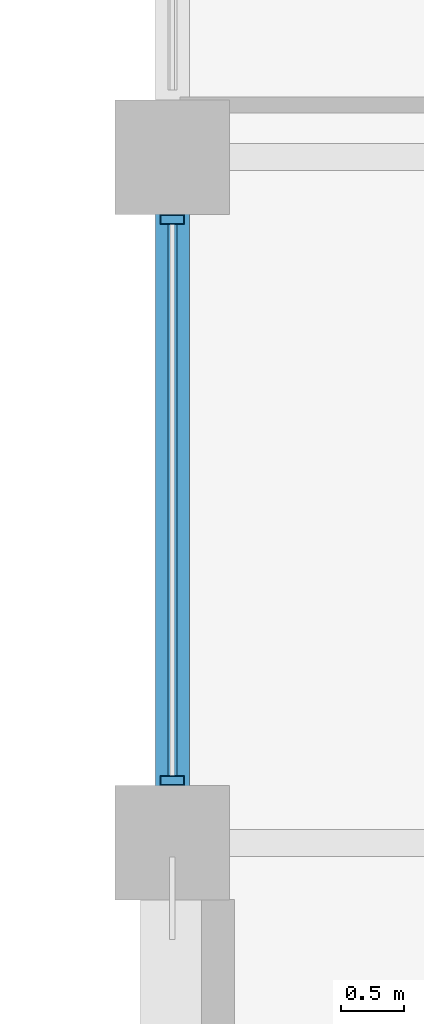
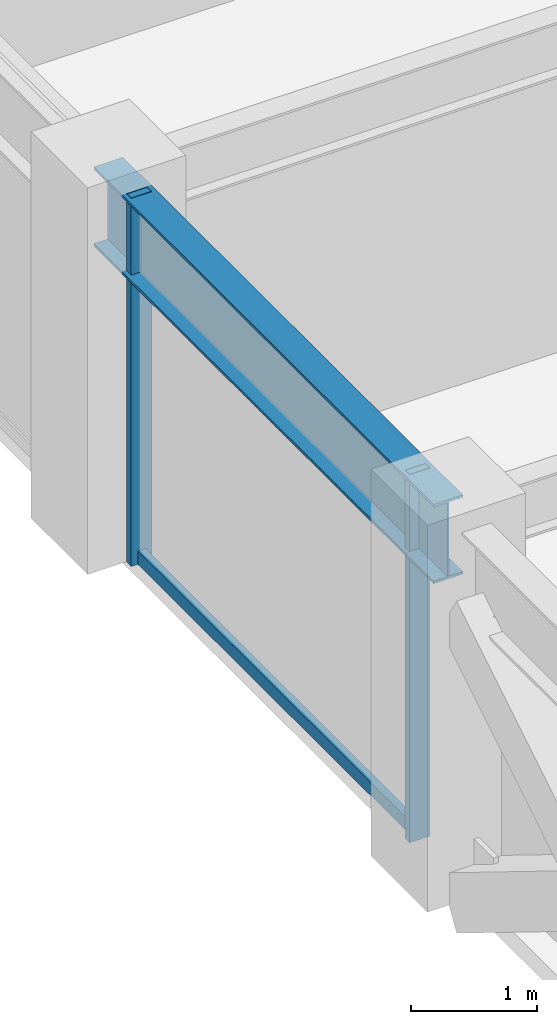
# One storey, part 4 of 31: 3 members, 1 beam, 1 element without a shape of its own.
"""IFC4 building model written with IfcOpenShell, lengths in metres."""

from ifc_helpers import new_model, si_unit, direction, frame, origin, origin_2d, place, context, subcontext, project, spatial, hollow_rectangle, i_section, extrude, material, layer, layer_set, material_profile, profile_set, type_object, element, aggregate, save


model = new_model("IFC4")

# Units and contexts
model_context = context("Model", 3, precision=1e-05, world=origin(), true_north=direction((0.0, 1.0)))
body_context = subcontext(model_context, "Body", "Model", "MODEL_VIEW")
ifc_project = project(units=[si_unit("LENGTHUNIT", "METRE"), si_unit("AREAUNIT", "SQUARE_METRE"), si_unit("VOLUMEUNIT", "CUBIC_METRE"), si_unit("PLANEANGLEUNIT", "RADIAN"), si_unit("MASSUNIT", "GRAM", prefix="KILO")], contexts=[model_context])

# Site, building, storey
site_placement = place(None, origin())
site = spatial("IfcSite", under=ifc_project, at=site_placement, CompositionType="ELEMENT")
building_placement = place(site_placement, origin())
building = spatial("IfcBuilding", under=site, at=building_placement, Name="Surkhivell Harbour Commons", CompositionType="ELEMENT")
storey_placement = place(building_placement, frame((0.0, 0.0, 193.5)))
storey = spatial("IfcBuildingStorey", under=building, at=storey_placement, Name="L50", CompositionType="ELEMENT", Elevation=193.5)

# Beam
ifc_material_1 = material(Name="Steel S355", Category="steel")
ifc_material_profile_1 = material_profile(ifc_material_1, i_section(OverallWidth=0.26806640625, OverallDepth=0.77001953125, WebThickness=0.015625, FlangeThickness=0.025390625, at=origin_2d()), Name="UB762x267x197")
ifc_profile_set_1 = profile_set([ifc_material_profile_1], Name="Steel S355")
beam_type = type_object("IfcBeamType", Name="BM-SPN-762", PredefinedType="SPANDREL", material=ifc_profile_set_1)
beam_placement = place(storey_placement, frame((-27.0, -10.800048828125, 3.18505859375), z_axis=(0.0, 1.0, 0.0), x_axis=(-1.0, 0.0, 0.0)))
element("IfcBeam", 1, at=beam_placement, inside=storey, type_object=beam_type, Name="L50 Tube Spandrel (-27.0,-10.8)", PredefinedType="SPANDREL", context=body_context, shape_type="SweptSolid", body=[
    extrude(i_section(OverallWidth=0.26806640625, OverallDepth=0.77001953125, WebThickness=0.015625, FlangeThickness=0.025390625, at=origin_2d()), origin(), (0.0, 0.0, 1.0), 5.400146484375),
])

# Curtain wall, members
ifc_material_2 = material(Name="Anodised pale-metal aluminium and insulated glazing", Category="aluminium")
ifc_layer = layer(ifc_material_2, 0.18994140625)
ifc_layer_set = layer_set([ifc_layer], Name="Anodised pale-metal aluminium and insulated glazing")
curtain_wall_type = type_object("IfcCurtainWallType", Name="CW-SYS-Z3", PredefinedType="NOTDEFINED", material=ifc_layer_set)
curtain_wall_placement = place(storey_placement, origin())
curtain_wall = element("IfcCurtainWall", 2, at=curtain_wall_placement, inside=storey, type_object=curtain_wall_type, Name="L50 Curtain Wall CW-L50-E12S1", PredefinedType="NOTDEFINED")
ifc_material_3 = material(Name="Anodised pale-metal aluminium alloy 6063-T6", Category="aluminium")
ifc_material_profile_2 = material_profile(ifc_material_3, hollow_rectangle(XDim=0.074951171875, YDim=0.18994140625, WallThickness=0.00390625, at=origin_2d()), Name="ALU-MULL-75x190")
ifc_profile_set_2 = profile_set([ifc_material_profile_2], Name="Anodised pale-metal aluminium alloy 6063-T6")
member_type_1 = type_object("IfcMemberType", Name="CWM-190", PredefinedType="MULLION", material=ifc_profile_set_2)
member_1_placement = place(storey_placement, frame((-27.0, -5.889404296875, 0.0), z_axis=(0.0, 0.0, 1.0), x_axis=(0.0, -1.0, 0.0)))
member_1 = element("IfcMember", 3, at=member_1_placement, type_object=member_type_1, Name="CW-Z3 mullion 6", PredefinedType="MULLION", context=body_context, shape_type="SweptSolid", body=[
    extrude(hollow_rectangle(XDim=0.074951171875, YDim=0.18994140625, WallThickness=0.00390625, at=origin_2d()), origin(), (0.0, 0.0, 1.0), 3.570068359375),
])
member_2_placement = place(storey_placement, frame((-27.0, -10.310546875, 0.0), z_axis=(0.0, 0.0, 1.0), x_axis=(0.0, -1.0, 0.0)))
member_2 = element("IfcMember", 4, at=member_2_placement, type_object=member_type_1, Name="CW-Z3 mullion 7", PredefinedType="MULLION", context=body_context, shape_type="SweptSolid", body=[
    extrude(hollow_rectangle(XDim=0.074951171875, YDim=0.18994140625, WallThickness=0.00390625, at=origin_2d()), origin(), (0.0, 0.0, 1.0), 3.570068359375),
])
ifc_material_4 = material(Name="Champagne anodised aluminium alloy 6063-T6", Category="aluminium")
ifc_material_profile_3 = material_profile(ifc_material_4, hollow_rectangle(XDim=0.070068359375, YDim=0.1298828125, WallThickness=0.00341796875, at=origin_2d()), Name="ALU-TRAN-70x130")
ifc_profile_set_3 = profile_set([ifc_material_profile_3], Name="Champagne anodised aluminium alloy 6063-T6")
member_type_2 = type_object("IfcMemberType", Name="CWT-130", PredefinedType="USERDEFINED", material=ifc_profile_set_3)
member_3_placement = place(storey_placement, frame((-27.0, -5.927001953125, 0.06494140625), z_axis=(0.0, -1.0, 0.0), x_axis=(1.0, 0.0, 0.0)))
member_3 = element("IfcMember", 5, at=member_3_placement, type_object=member_type_2, Name="CW-Z3 transom 6.1", ObjectType="TRANSOM", PredefinedType="USERDEFINED", context=body_context, shape_type="SweptSolid", body=[
    extrude(hollow_rectangle(XDim=0.070068359375, YDim=0.1298828125, WallThickness=0.00341796875, at=origin_2d()), origin(), (0.0, 0.0, 1.0), 4.345947265625),
])
aggregate(curtain_wall, [member_1, member_2, member_3])

save(model, "model.ifc")
